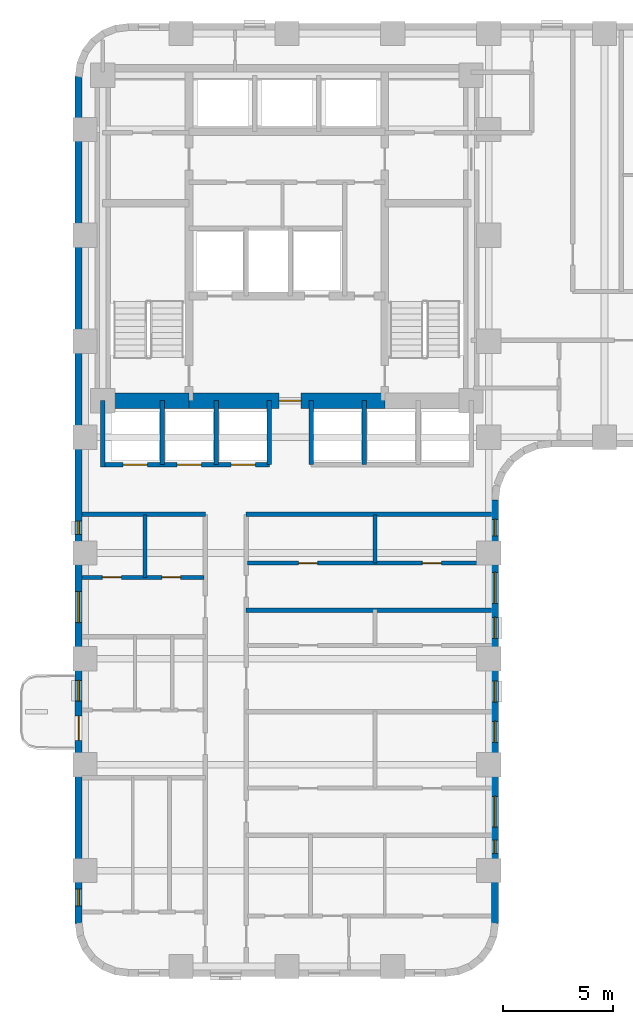
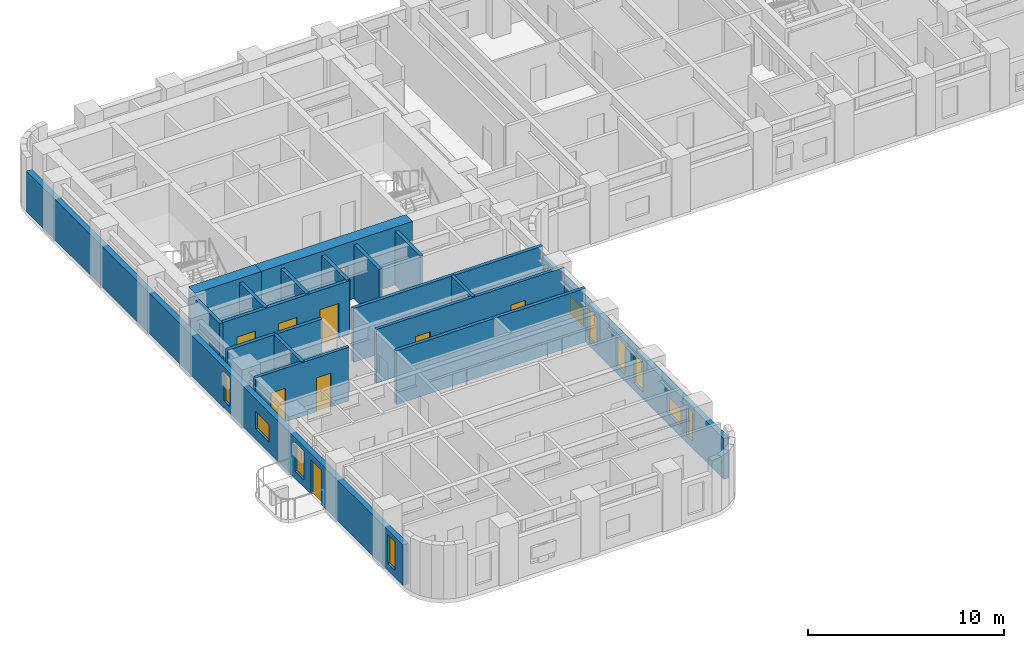
# One storey, part 4 of 12: 18 walls, 11 windows, 9 doors, 20 openings.
"""IFC4 building model written with IfcOpenShell, lengths in metres."""

from ifc_helpers import new_model, si_unit, direction, frame, frame_2d, origin, place, context, subcontext, project, spatial, rectangle, extrude, material, layer, layer_set, type_object, element, fill, save


model = new_model("IFC4")

# Units and contexts
model_context = context("Model", 3, precision=1e-05, world=origin(), true_north=direction((0.0, 1.0)))
body_context = subcontext(model_context, "Body", "Model", "MODEL_VIEW")
ifc_project = project(units=[si_unit("LENGTHUNIT", "METRE"), si_unit("AREAUNIT", "SQUARE_METRE"), si_unit("VOLUMEUNIT", "CUBIC_METRE"), si_unit("PLANEANGLEUNIT", "RADIAN"), si_unit("MASSUNIT", "GRAM", prefix="KILO")], contexts=[model_context])

# Site, building, storey
site_placement = place(None, origin())
site = spatial("IfcSite", under=ifc_project, at=site_placement, CompositionType="ELEMENT")
building_placement = place(site_placement, origin())
building = spatial("IfcBuilding", under=site, at=building_placement, Name="Orvandelia Arch Residences", CompositionType="ELEMENT")
storey_placement = place(building_placement, frame((0.0, 0.0, 35.800048828125)))
storey = spatial("IfcBuildingStorey", under=building, at=storey_placement, Name="L08", CompositionType="ELEMENT", Elevation=35.800048828125)

# Wall
ifc_material_1 = material(Name="Concrete C80/95", Category="concrete")
ifc_layer_1 = layer(ifc_material_1, 0.699951171875, Name="Concrete C80/95", Category="concrete")
ifc_layer_set_1 = layer_set([ifc_layer_1], Name="Concrete C80/95")
wall_type_1 = type_object("IfcWallType", Name="WL-CORE-700", PredefinedType="SHEAR", material=ifc_layer_set_1)
wall_1_placement = place(storey_placement, frame((6.050048828125, 30.89990234375, 0.0), z_axis=(0.0, 0.0, 1.0), x_axis=(1.0, 0.0, 0.0)))
element("IfcWall", 1, at=wall_1_placement, inside=storey, type_object=wall_type_1, Name="Core Shear Wall L08-SW", PredefinedType="SHEAR", context=body_context, shape_type="SweptSolid", body=[
    extrude(rectangle(XDim=3.909912109375, YDim=0.699951171875, at=frame_2d((1.955078125, 0.0))), origin(), (0.0, 0.0, 1.0), 3.599853515625),
])

# Wall, opening, door
wall_2_placement = place(storey_placement, frame((9.9599609375, 30.89990234375, 0.0), z_axis=(0.0, 0.0, 1.0), x_axis=(1.0, 0.0, 0.0)))
wall_2 = element("IfcWall", 2, at=wall_2_placement, inside=storey, type_object=wall_type_1, Name="Core Shear Wall L08-SM", PredefinedType="SHEAR", context=body_context, shape_type="SweptSolid", body=[
    extrude(rectangle(XDim=8.880126953125, YDim=0.699951171875, at=frame_2d((4.43994140625, 0.0))), origin(), (0.0, 0.0, 1.0), 3.599853515625),
])
opening_1_placement = place(wall_2_placement, frame((4.090087890625, 0.0, 0.0)))
opening_1 = element("IfcOpeningElement", 3, at=opening_1_placement, cuts=wall_2, Name="Opening D6", PredefinedType="OPENING", context=body_context, shape_type="SweptSolid", body=[
    extrude(rectangle(XDim=1.0, YDim=2.14990234375, at=frame_2d((0.5, 1.074951171875))), frame((0.0, 0.35986328125, 0.0), z_axis=(0.0, -1.0, 0.0), x_axis=(1.0, 0.0, 0.0)), (0.0, 0.0, 1.0), 0.719970703125),
])
ifc_material_2 = material(Name="Smokeproof Painted Steel Fire Door", Category="steel")
door_type_1 = type_object("IfcDoorType", Name="DR-FD60-1000", OperationType="NOTDEFINED", PredefinedType="DOOR", material=ifc_material_2)
door_1_placement = place(opening_1_placement, origin())
door_1 = element("IfcDoor", 4, at=door_1_placement, inside=storey, type_object=door_type_1, Name="Firefighting Lobby Smokeproof Door L08", OperationType="SINGLE_SWING_LEFT", OverallHeight=2.14990234375, OverallWidth=1.0, PredefinedType="DOOR", context=body_context, shape_type="SweptSolid", body=[
    extrude(rectangle(XDim=1.0, YDim=2.14990234375, at=frame_2d((0.5, 1.074951171875))), frame((0.0, 0.02490234375, 0.0), z_axis=(0.0, -1.0, 0.0), x_axis=(1.0, 0.0, 0.0)), (0.0, 0.0, 1.0), 0.050048828125),
])
fill(opening_1, door_1)

# Walls
ifc_material_3 = material(Name="Fire-Rated Corridor Partition")
ifc_layer_2 = layer(ifc_material_3, 0.199951171875, Name="Fire-Rated Corridor Partition")
ifc_layer_set_2 = layer_set([ifc_layer_2], Name="Fire-Rated Corridor Partition")
wall_type_2 = type_object("IfcWallType", Name="WL-CORR-200", PredefinedType="PARTITIONING", material=ifc_layer_set_2)
wall_3_placement = place(storey_placement, frame((5.1201171875, 25.75, 0.0), z_axis=(0.0, 0.0, 1.0), x_axis=(1.0, 0.0, 0.0)))
element("IfcWall", 5, at=wall_3_placement, inside=storey, type_object=wall_type_2, Name="Interior Partition Wall WL-L08-WCLS-W", PredefinedType="PARTITIONING", context=body_context, shape_type="SweptSolid", body=[
    extrude(rectangle(XDim=5.579833984375, YDim=0.199951171875, at=frame_2d((2.7900390625, 0.0))), origin(), (0.0, 0.0, 1.0), 3.349853515625),
])
wall_4_placement = place(storey_placement, frame((12.550048828125, 25.75, 0.0), z_axis=(0.0, 0.0, 1.0), x_axis=(1.0, 0.0, 0.0)))
element("IfcWall", 6, at=wall_4_placement, inside=storey, type_object=wall_type_2, Name="Interior Partition Wall WL-L08-WCLS-E", PredefinedType="PARTITIONING", context=body_context, shape_type="SweptSolid", body=[
    extrude(rectangle(XDim=11.1298828125, YDim=0.199951171875, at=frame_2d((5.56494140625, 0.0))), origin(), (0.0, 0.0, 1.0), 3.349853515625),
])
ifc_material_4 = material(Name="Concrete C40/50", Category="concrete")
ifc_layer_3 = layer(ifc_material_4, 0.199951171875, Name="Concrete C40/50", Category="concrete")
ifc_layer_set_3 = layer_set([ifc_layer_3], Name="Concrete C40/50")
wall_type_3 = type_object("IfcWallType", Name="WL-DEM-200", PredefinedType="SOLIDWALL", material=ifc_layer_set_3)
wall_5_placement = place(storey_placement, frame((12.550048828125, 21.39990234375, 0.0), z_axis=(0.0, 0.0, 1.0), x_axis=(1.0, 0.0, 0.0)))
element("IfcWall", 7, at=wall_5_placement, inside=storey, type_object=wall_type_3, Name="Interior Partition Wall WL-L08-DEM-WR-214", PredefinedType="SOLIDWALL", context=body_context, shape_type="SweptSolid", body=[
    extrude(rectangle(XDim=11.1298828125, YDim=0.199951171875, at=frame_2d((5.56494140625, 0.0))), origin(), (0.0, 0.0, 1.0), 3.349853515625),
])

# Wall, openings, windows
ifc_material_5 = material(Name="Precast concrete C40/50", Category="concrete")
ifc_layer_4 = layer(ifc_material_5, 0.320068359375, Name="Precast concrete C40/50", Category="concrete")
ifc_layer_set_4 = layer_set([ifc_layer_4], Name="Precast concrete C40/50")
wall_type_4 = type_object("IfcWallType", Name="WL-EXT-STONE-320", PredefinedType="STANDARD", material=ifc_layer_set_4)
wall_6_placement = place(storey_placement, frame((23.840087890625, 26.39990234375, 0.0), z_axis=(0.0, 0.0, 1.0), x_axis=(0.0, -1.0, 0.0)))
wall_6 = element("IfcWall", 8, at=wall_6_placement, inside=storey, type_object=wall_type_4, Name="Coral-Limestone Precast Facade Wall L08-028", PredefinedType="STANDARD", context=body_context, shape_type="SweptSolid", body=[
    extrude(rectangle(XDim=19.199951171875, YDim=0.320068359375, at=frame_2d((9.60009765625, 0.0))), origin(), (0.0, 0.0, 1.0), 2.530029296875),
])
opening_2_placement = place(wall_6_placement, frame((15.4150390625, 0.0, 0.449951171875)))
opening_2 = element("IfcOpeningElement", 9, at=opening_2_placement, cuts=wall_6, Name="Opening W12", PredefinedType="OPENING", context=body_context, shape_type="SweptSolid", body=[
    extrude(rectangle(XDim=0.60009765625, YDim=1.800048828125, at=frame_2d((0.300048828125, 0.89990234375))), frame((0.0, 0.169921875, 0.0), z_axis=(0.0, -1.0, 0.0), x_axis=(1.0, 0.0, 0.0)), (0.0, 0.0, 1.0), 0.340087890625),
])
opening_3_placement = place(wall_6_placement, frame((13.429931640625, 0.0, 0.64990234375)))
opening_3 = element("IfcOpeningElement", 10, at=opening_3_placement, cuts=wall_6, Name="Opening W10", PredefinedType="OPENING", context=body_context, shape_type="SweptSolid", body=[
    extrude(rectangle(XDim=1.39990234375, YDim=1.10009765625, at=frame_2d((0.699951171875, 0.550048828125))), frame((0.0, 0.169921875, 0.0), z_axis=(0.0, -1.0, 0.0), x_axis=(1.0, 0.0, 0.0)), (0.0, 0.0, 1.0), 0.340087890625),
])
opening_4_placement = place(wall_6_placement, frame((8.2099609375, 0.0, 0.449951171875)))
opening_4 = element("IfcOpeningElement", 11, at=opening_4_placement, cuts=wall_6, Name="Opening W4", PredefinedType="OPENING", context=body_context, shape_type="SweptSolid", body=[
    extrude(rectangle(XDim=0.949951171875, YDim=1.800048828125, at=frame_2d((0.47509765625, 0.89990234375))), frame((0.0, 0.169921875, 0.0), z_axis=(0.0, -1.0, 0.0), x_axis=(1.0, 0.0, 0.0)), (0.0, 0.0, 1.0), 0.340087890625),
])
opening_5_placement = place(wall_6_placement, frame((3.284912109375, 0.0, 0.64990234375)))
opening_5 = element("IfcOpeningElement", 12, at=opening_5_placement, cuts=wall_6, Name="Opening W10", PredefinedType="OPENING", context=body_context, shape_type="SweptSolid", body=[
    extrude(rectangle(XDim=1.39990234375, YDim=1.10009765625, at=frame_2d((0.699951171875, 0.550048828125))), frame((0.0, 0.169921875, 0.0), z_axis=(0.0, -1.0, 0.0), x_axis=(1.0, 0.0, 0.0)), (0.0, 0.0, 1.0), 0.340087890625),
])
opening_6_placement = place(wall_6_placement, frame((10.0400390625, 0.0, 0.449951171875)))
opening_6 = element("IfcOpeningElement", 13, at=opening_6_placement, cuts=wall_6, Name="Opening W4", PredefinedType="OPENING", context=body_context, shape_type="SweptSolid", body=[
    extrude(rectangle(XDim=0.949951171875, YDim=1.800048828125, at=frame_2d((0.47509765625, 0.89990234375))), frame((0.0, 0.169921875, 0.0), z_axis=(0.0, -1.0, 0.0), x_axis=(1.0, 0.0, 0.0)), (0.0, 0.0, 1.0), 0.340087890625),
])
opening_7_placement = place(wall_6_placement, frame((5.320068359375, 0.0, 0.449951171875)))
opening_7 = element("IfcOpeningElement", 14, at=opening_7_placement, cuts=wall_6, Name="Opening W4", PredefinedType="OPENING", context=body_context, shape_type="SweptSolid", body=[
    extrude(rectangle(XDim=0.949951171875, YDim=1.800048828125, at=frame_2d((0.47509765625, 0.89990234375))), frame((0.0, 0.169921875, 0.0), z_axis=(0.0, -1.0, 0.0), x_axis=(1.0, 0.0, 0.0)), (0.0, 0.0, 1.0), 0.340087890625),
])
opening_8_placement = place(wall_6_placement, frame((0.8798828125, 0.0, 0.449951171875)))
opening_8 = element("IfcOpeningElement", 15, at=opening_8_placement, cuts=wall_6, Name="Opening W11", PredefinedType="OPENING", context=body_context, shape_type="SweptSolid", body=[
    extrude(rectangle(XDim=0.75, YDim=1.800048828125, at=frame_2d((0.375, 0.89990234375))), frame((0.0, 0.169921875, 0.0), z_axis=(0.0, -1.0, 0.0), x_axis=(1.0, 0.0, 0.0)), (0.0, 0.0, 1.0), 0.340087890625),
])
ifc_material_6 = material(Name="Tempered Low-E Insulated Glazing", Category="glass")
window_type_1 = type_object("IfcWindowType", Name="WIN-BED-0750x1800", PartitioningType="SINGLE_PANEL", PredefinedType="WINDOW", material=ifc_material_6)
window_1_placement = place(opening_8_placement, origin())
window_1 = element("IfcWindow", 16, at=window_1_placement, inside=storey, type_object=window_type_1, Name="Recessed Punched Window L08-025", OverallHeight=1.800048828125, OverallWidth=0.75, PartitioningType="SINGLE_PANEL", PredefinedType="WINDOW", context=body_context, shape_type="SweptSolid", body=[
    extrude(rectangle(XDim=0.75, YDim=1.800048828125, at=frame_2d((0.375, 0.89990234375))), frame((0.0, 0.030029296875, 0.0), z_axis=(0.0, -1.0, 0.0), x_axis=(1.0, 0.0, 0.0)), (0.0, 0.0, 1.0), 0.06005859375),
])
fill(opening_8, window_1)
window_type_2 = type_object("IfcWindowType", Name="WIN-CLR-1400x1100", PartitioningType="SINGLE_PANEL", PredefinedType="WINDOW", material=ifc_material_6)
window_2_placement = place(opening_3_placement, origin())
window_2 = element("IfcWindow", 17, at=window_2_placement, inside=storey, type_object=window_type_2, Name="Recessed Punched Window L08-020", OverallHeight=1.10009765625, OverallWidth=1.39990234375, PartitioningType="SINGLE_PANEL", PredefinedType="WINDOW", context=body_context, shape_type="SweptSolid", body=[
    extrude(rectangle(XDim=1.39990234375, YDim=1.10009765625, at=frame_2d((0.699951171875, 0.550048828125))), frame((0.0, 0.030029296875, 0.0), z_axis=(0.0, -1.0, 0.0), x_axis=(1.0, 0.0, 0.0)), (0.0, 0.0, 1.0), 0.06005859375),
])
fill(opening_3, window_2)
window_3_placement = place(opening_5_placement, origin())
window_3 = element("IfcWindow", 18, at=window_3_placement, inside=storey, type_object=window_type_2, Name="Recessed Punched Window L08-022", OverallHeight=1.10009765625, OverallWidth=1.39990234375, PartitioningType="SINGLE_PANEL", PredefinedType="WINDOW", context=body_context, shape_type="SweptSolid", body=[
    extrude(rectangle(XDim=1.39990234375, YDim=1.10009765625, at=frame_2d((0.699951171875, 0.550048828125))), frame((0.0, 0.030029296875, 0.0), z_axis=(0.0, -1.0, 0.0), x_axis=(1.0, 0.0, 0.0)), (0.0, 0.0, 1.0), 0.06005859375),
])
fill(opening_5, window_3)
window_type_3 = type_object("IfcWindowType", Name="WIN-LAN-0600x1800", PartitioningType="SINGLE_PANEL", PredefinedType="WINDOW", material=ifc_material_6)
window_4_placement = place(opening_2_placement, origin())
window_4 = element("IfcWindow", 19, at=window_4_placement, inside=storey, type_object=window_type_3, Name="Recessed Punched Window L08-019", OverallHeight=1.800048828125, OverallWidth=0.60009765625, PartitioningType="SINGLE_PANEL", PredefinedType="WINDOW", context=body_context, shape_type="SweptSolid", body=[
    extrude(rectangle(XDim=0.60009765625, YDim=1.800048828125, at=frame_2d((0.300048828125, 0.89990234375))), frame((0.0, 0.030029296875, 0.0), z_axis=(0.0, -1.0, 0.0), x_axis=(1.0, 0.0, 0.0)), (0.0, 0.0, 1.0), 0.06005859375),
])
fill(opening_2, window_4)
window_type_4 = type_object("IfcWindowType", Name="WIN-RES-0950x1800", PartitioningType="SINGLE_PANEL", PredefinedType="WINDOW", material=ifc_material_6)
window_5_placement = place(opening_4_placement, origin())
window_5 = element("IfcWindow", 20, at=window_5_placement, inside=storey, type_object=window_type_4, Name="Recessed Punched Window L08-021", OverallHeight=1.800048828125, OverallWidth=0.949951171875, PartitioningType="SINGLE_PANEL", PredefinedType="WINDOW", context=body_context, shape_type="SweptSolid", body=[
    extrude(rectangle(XDim=0.949951171875, YDim=1.800048828125, at=frame_2d((0.47509765625, 0.89990234375))), frame((0.0, 0.030029296875, 0.0), z_axis=(0.0, -1.0, 0.0), x_axis=(1.0, 0.0, 0.0)), (0.0, 0.0, 1.0), 0.06005859375),
])
fill(opening_4, window_5)
window_6_placement = place(opening_6_placement, origin())
window_6 = element("IfcWindow", 21, at=window_6_placement, inside=storey, type_object=window_type_4, Name="Recessed Punched Window L08-023", OverallHeight=1.800048828125, OverallWidth=0.949951171875, PartitioningType="SINGLE_PANEL", PredefinedType="WINDOW", context=body_context, shape_type="SweptSolid", body=[
    extrude(rectangle(XDim=0.949951171875, YDim=1.800048828125, at=frame_2d((0.47509765625, 0.89990234375))), frame((0.0, 0.030029296875, 0.0), z_axis=(0.0, -1.0, 0.0), x_axis=(1.0, 0.0, 0.0)), (0.0, 0.0, 1.0), 0.06005859375),
])
fill(opening_6, window_6)
window_7_placement = place(opening_7_placement, origin())
window_7 = element("IfcWindow", 22, at=window_7_placement, inside=storey, type_object=window_type_4, Name="Recessed Punched Window L08-024", OverallHeight=1.800048828125, OverallWidth=0.949951171875, PartitioningType="SINGLE_PANEL", PredefinedType="WINDOW", context=body_context, shape_type="SweptSolid", body=[
    extrude(rectangle(XDim=0.949951171875, YDim=1.800048828125, at=frame_2d((0.47509765625, 0.89990234375))), frame((0.0, 0.030029296875, 0.0), z_axis=(0.0, -1.0, 0.0), x_axis=(1.0, 0.0, 0.0)), (0.0, 0.0, 1.0), 0.06005859375),
])
fill(opening_7, window_7)

# Wall, openings, door, windows
wall_7_placement = place(storey_placement, frame((4.9599609375, 7.199951171875, 0.0), z_axis=(0.0, 0.0, 1.0), x_axis=(0.0, 1.0, 0.0)))
wall_7 = element("IfcWall", 23, at=wall_7_placement, inside=storey, type_object=wall_type_4, Name="Coral-Limestone Precast Facade Wall L08-042", PredefinedType="STANDARD", context=body_context, shape_type="SweptSolid", body=[
    extrude(rectangle(XDim=38.400146484375, YDim=0.320068359375, at=frame_2d((19.2001953125, 0.0))), origin(), (0.0, 0.0, 1.0), 2.530029296875),
])
opening_9_placement = place(wall_7_placement, frame((8.300048828125, 0.0, 0.0)))
opening_9 = element("IfcOpeningElement", 24, at=opening_9_placement, cuts=wall_7, Name="Opening BD1", PredefinedType="OPENING", context=body_context, shape_type="SweptSolid", body=[
    extrude(rectangle(XDim=1.10009765625, YDim=2.14990234375, at=frame_2d((0.550048828125, 1.074951171875))), frame((0.0, 0.169921875, 0.0), z_axis=(0.0, -1.0, 0.0), x_axis=(1.0, 0.0, 0.0)), (0.0, 0.0, 1.0), 0.340087890625),
])
opening_10_placement = place(wall_7_placement, frame((10.076904296875, 0.0, 0.449951171875)))
opening_10 = element("IfcOpeningElement", 25, at=opening_10_placement, cuts=wall_7, Name="Opening W4", PredefinedType="OPENING", context=body_context, shape_type="SweptSolid", body=[
    extrude(rectangle(XDim=0.949951171875, YDim=1.800048828125, at=frame_2d((0.47509765625, 0.89990234375))), frame((0.0, 0.169921875, 0.0), z_axis=(0.0, -1.0, 0.0), x_axis=(1.0, 0.0, 0.0)), (0.0, 0.0, 1.0), 0.340087890625),
])
opening_11_placement = place(wall_7_placement, frame((13.64599609375, 0.0, 0.64990234375)))
opening_11 = element("IfcOpeningElement", 26, at=opening_11_placement, cuts=wall_7, Name="Opening W10", PredefinedType="OPENING", context=body_context, shape_type="SweptSolid", body=[
    extrude(rectangle(XDim=1.39990234375, YDim=1.10009765625, at=frame_2d((0.699951171875, 0.550048828125))), frame((0.0, 0.169921875, 0.0), z_axis=(0.0, -1.0, 0.0), x_axis=(1.0, 0.0, 0.0)), (0.0, 0.0, 1.0), 0.340087890625),
])
opening_12_placement = place(wall_7_placement, frame((0.805908203125, 0.0, 0.449951171875)))
opening_12 = element("IfcOpeningElement", 27, at=opening_12_placement, cuts=wall_7, Name="Opening W11", PredefinedType="OPENING", context=body_context, shape_type="SweptSolid", body=[
    extrude(rectangle(XDim=0.75, YDim=1.800048828125, at=frame_2d((0.375, 0.89990234375))), frame((0.0, 0.169921875, 0.0), z_axis=(0.0, -1.0, 0.0), x_axis=(1.0, 0.0, 0.0)), (0.0, 0.0, 1.0), 0.340087890625),
])
opening_13_placement = place(wall_7_placement, frame((17.64501953125, 0.0, 0.449951171875)))
opening_13 = element("IfcOpeningElement", 28, at=opening_13_placement, cuts=wall_7, Name="Opening W12", PredefinedType="OPENING", context=body_context, shape_type="SweptSolid", body=[
    extrude(rectangle(XDim=0.60009765625, YDim=1.800048828125, at=frame_2d((0.300048828125, 0.89990234375))), frame((0.0, 0.169921875, 0.0), z_axis=(0.0, -1.0, 0.0), x_axis=(1.0, 0.0, 0.0)), (0.0, 0.0, 1.0), 0.340087890625),
])
ifc_material_7 = material(Name="Thermally Broken Aluminium Glazed Door", Category="aluminium")
door_type_2 = type_object("IfcDoorType", Name="DR-BAL-GLAZ-1100", OperationType="NOTDEFINED", PredefinedType="DOOR", material=ifc_material_7)
door_2_placement = place(opening_9_placement, origin())
door_2 = element("IfcDoor", 29, at=door_2_placement, inside=storey, type_object=door_type_2, Name="Tree Balcony Glazed Door BAL-L08-W1", OperationType="SINGLE_SWING_RIGHT", OverallHeight=2.14990234375, OverallWidth=1.10009765625, PredefinedType="DOOR", context=body_context, shape_type="SweptSolid", body=[
    extrude(rectangle(XDim=1.10009765625, YDim=2.14990234375, at=frame_2d((0.550048828125, 1.074951171875))), frame((0.0, 0.02490234375, 0.0), z_axis=(0.0, -1.0, 0.0), x_axis=(1.0, 0.0, 0.0)), (0.0, 0.0, 1.0), 0.050048828125),
])
fill(opening_9, door_2)
window_8_placement = place(opening_12_placement, origin())
window_8 = element("IfcWindow", 30, at=window_8_placement, inside=storey, type_object=window_type_1, Name="Recessed Punched Window L08-032", OverallHeight=1.800048828125, OverallWidth=0.75, PartitioningType="SINGLE_PANEL", PredefinedType="WINDOW", context=body_context, shape_type="SweptSolid", body=[
    extrude(rectangle(XDim=0.75, YDim=1.800048828125, at=frame_2d((0.375, 0.89990234375))), frame((0.0, 0.030029296875, 0.0), z_axis=(0.0, -1.0, 0.0), x_axis=(1.0, 0.0, 0.0)), (0.0, 0.0, 1.0), 0.06005859375),
])
fill(opening_12, window_8)
window_9_placement = place(opening_11_placement, origin())
window_9 = element("IfcWindow", 31, at=window_9_placement, inside=storey, type_object=window_type_2, Name="Recessed Punched Window L08-031", OverallHeight=1.10009765625, OverallWidth=1.39990234375, PartitioningType="SINGLE_PANEL", PredefinedType="WINDOW", context=body_context, shape_type="SweptSolid", body=[
    extrude(rectangle(XDim=1.39990234375, YDim=1.10009765625, at=frame_2d((0.699951171875, 0.550048828125))), frame((0.0, 0.030029296875, 0.0), z_axis=(0.0, -1.0, 0.0), x_axis=(1.0, 0.0, 0.0)), (0.0, 0.0, 1.0), 0.06005859375),
])
fill(opening_11, window_9)
window_10_placement = place(opening_13_placement, origin())
window_10 = element("IfcWindow", 32, at=window_10_placement, inside=storey, type_object=window_type_3, Name="Recessed Punched Window L08-033", OverallHeight=1.800048828125, OverallWidth=0.60009765625, PartitioningType="SINGLE_PANEL", PredefinedType="WINDOW", context=body_context, shape_type="SweptSolid", body=[
    extrude(rectangle(XDim=0.60009765625, YDim=1.800048828125, at=frame_2d((0.300048828125, 0.89990234375))), frame((0.0, 0.030029296875, 0.0), z_axis=(0.0, -1.0, 0.0), x_axis=(1.0, 0.0, 0.0)), (0.0, 0.0, 1.0), 0.06005859375),
])
fill(opening_13, window_10)
window_11_placement = place(opening_10_placement, origin())
window_11 = element("IfcWindow", 33, at=window_11_placement, inside=storey, type_object=window_type_4, Name="Recessed Punched Window L08-030", OverallHeight=1.800048828125, OverallWidth=0.949951171875, PartitioningType="SINGLE_PANEL", PredefinedType="WINDOW", context=body_context, shape_type="SweptSolid", body=[
    extrude(rectangle(XDim=0.949951171875, YDim=1.800048828125, at=frame_2d((0.47509765625, 0.89990234375))), frame((0.0, 0.030029296875, 0.0), z_axis=(0.0, -1.0, 0.0), x_axis=(1.0, 0.0, 0.0)), (0.0, 0.0, 1.0), 0.06005859375),
])
fill(opening_10, window_11)

# Wall, openings, doors
ifc_material_8 = material(Name="Fire-Rated Shaft Enclosure Wall")
ifc_layer_5 = layer(ifc_material_8, 0.199951171875, Name="Fire-Rated Shaft Enclosure Wall")
ifc_layer_set_5 = layer_set([ifc_layer_5], Name="Fire-Rated Shaft Enclosure Wall")
wall_type_5 = type_object("IfcWallType", Name="WL-SHAFT-200", PredefinedType="POLYGONAL", material=ifc_layer_set_5)
wall_8_placement = place(storey_placement, frame((6.050048828125, 28.0, 0.0), z_axis=(0.0, 0.0, 1.0), x_axis=(1.0, 0.0, 0.0)))
wall_8 = element("IfcWall", 34, at=wall_8_placement, inside=storey, type_object=wall_type_5, Name="Interior Partition Wall WL-L08-BNKL-S", PredefinedType="POLYGONAL", context=body_context, shape_type="SweptSolid", body=[
    extrude(rectangle(XDim=7.550048828125, YDim=0.199951171875, at=frame_2d((3.77490234375, 0.0))), origin(), (0.0, 0.0, 1.0), 3.349853515625),
])
opening_14_placement = place(wall_8_placement, frame((0.925048828125, 0.0, 0.0)))
opening_14 = element("IfcOpeningElement", 35, at=opening_14_placement, cuts=wall_8, Name="Opening LD", PredefinedType="OPENING", context=body_context, shape_type="SweptSolid", body=[
    extrude(rectangle(XDim=1.10009765625, YDim=2.14990234375, at=frame_2d((0.550048828125, 1.074951171875))), frame((0.0, 0.10986328125, 0.0), z_axis=(0.0, -1.0, 0.0), x_axis=(1.0, 0.0, 0.0)), (0.0, 0.0, 1.0), 0.219970703125),
])
opening_15_placement = place(wall_8_placement, frame((3.375, 0.0, 0.0)))
opening_15 = element("IfcOpeningElement", 36, at=opening_15_placement, cuts=wall_8, Name="Opening LD", PredefinedType="OPENING", context=body_context, shape_type="SweptSolid", body=[
    extrude(rectangle(XDim=1.10009765625, YDim=2.14990234375, at=frame_2d((0.550048828125, 1.074951171875))), frame((0.0, 0.10986328125, 0.0), z_axis=(0.0, -1.0, 0.0), x_axis=(1.0, 0.0, 0.0)), (0.0, 0.0, 1.0), 0.219970703125),
])
opening_16_placement = place(wall_8_placement, frame((5.824951171875, 0.0, 0.0)))
opening_16 = element("IfcOpeningElement", 37, at=opening_16_placement, cuts=wall_8, Name="Opening LD", PredefinedType="OPENING", context=body_context, shape_type="SweptSolid", body=[
    extrude(rectangle(XDim=1.10009765625, YDim=2.14990234375, at=frame_2d((0.550048828125, 1.074951171875))), frame((0.0, 0.10986328125, 0.0), z_axis=(0.0, -1.0, 0.0), x_axis=(1.0, 0.0, 0.0)), (0.0, 0.0, 1.0), 0.219970703125),
])
ifc_material_9 = material(Name="Brushed Stainless Steel Sliding Lift Door", Category="steel")
door_type_3 = type_object("IfcDoorType", Name="DR-LIFT-1100", OperationType="NOTDEFINED", PredefinedType="DOOR", material=ifc_material_9)
door_3_placement = place(opening_14_placement, origin())
door_3 = element("IfcDoor", 38, at=door_3_placement, inside=storey, type_object=door_type_3, Name="Lift Landing Door LD-PL1", OperationType="SLIDING_TO_LEFT", OverallHeight=2.14990234375, OverallWidth=1.10009765625, PredefinedType="DOOR", context=body_context, shape_type="SweptSolid", body=[
    extrude(rectangle(XDim=1.10009765625, YDim=2.14990234375, at=frame_2d((0.550048828125, 1.074951171875))), frame((0.0, 0.02490234375, 0.0), z_axis=(0.0, -1.0, 0.0), x_axis=(1.0, 0.0, 0.0)), (0.0, 0.0, 1.0), 0.050048828125),
])
fill(opening_14, door_3)
door_4_placement = place(opening_15_placement, origin())
door_4 = element("IfcDoor", 39, at=door_4_placement, inside=storey, type_object=door_type_3, Name="Lift Landing Door LD-PL2", OperationType="SLIDING_TO_RIGHT", OverallHeight=2.14990234375, OverallWidth=1.10009765625, PredefinedType="DOOR", context=body_context, shape_type="SweptSolid", body=[
    extrude(rectangle(XDim=1.10009765625, YDim=2.14990234375, at=frame_2d((0.550048828125, 1.074951171875))), frame((0.0, 0.02490234375, 0.0), z_axis=(0.0, -1.0, 0.0), x_axis=(1.0, 0.0, 0.0)), (0.0, 0.0, 1.0), 0.050048828125),
])
fill(opening_15, door_4)
door_5_placement = place(opening_16_placement, origin())
door_5 = element("IfcDoor", 40, at=door_5_placement, inside=storey, type_object=door_type_3, Name="Lift Landing Door LD-PL3", OperationType="SLIDING_TO_LEFT", OverallHeight=2.14990234375, OverallWidth=1.10009765625, PredefinedType="DOOR", context=body_context, shape_type="SweptSolid", body=[
    extrude(rectangle(XDim=1.10009765625, YDim=2.14990234375, at=frame_2d((0.550048828125, 1.074951171875))), frame((0.0, 0.02490234375, 0.0), z_axis=(0.0, -1.0, 0.0), x_axis=(1.0, 0.0, 0.0)), (0.0, 0.0, 1.0), 0.050048828125),
])
fill(opening_16, door_5)

# Walls
wall_9_placement = place(storey_placement, frame((6.050048828125, 27.89990234375, 0.0), z_axis=(0.0, 0.0, 1.0), x_axis=(0.0, 1.0, 0.0)))
element("IfcWall", 41, at=wall_9_placement, inside=storey, type_object=wall_type_5, Name="Interior Partition Wall WL-L08-BNKL-W", PredefinedType="POLYGONAL", context=body_context, shape_type="SweptSolid", body=[
    extrude(rectangle(XDim=3.0, YDim=0.199951171875, at=frame_2d((1.5, 0.0))), origin(), (0.0, 0.0, 1.0), 3.349853515625),
])
for number, where, z_axis, x_axis, name in (
    (42, (13.60009765625, 28.0, 0.0), (0.0, 0.0, 1.0), (0.0, 1.0, 0.0), "Interior Partition Wall WL-L08-BNKL-E"),
    (43, (15.5, 28.0, 0.0), (0.0, 0.0, 1.0), (0.0, 1.0, 0.0), "Interior Partition Wall WL-L08-BNKM-W"),
    (44, (8.75, 28.0, 0.0), (0.0, 0.0, 1.0), (0.0, 1.0, 0.0), "Interior Partition Wall WL-L08-BNKD-875"),
    (45, (11.199951171875, 28.0, 0.0), (0.0, 0.0, 1.0), (0.0, 1.0, 0.0), "Interior Partition Wall WL-L08-BNKD-1120"),
    (46, (17.89990234375, 28.0, 0.0), (0.0, 0.0, 1.0), (0.0, 1.0, 0.0), "Interior Partition Wall WL-L08-BNKD-1789"),
):
    element("IfcWall", number, at=place(storey_placement, frame(where, z_axis=z_axis, x_axis=x_axis)), inside=storey, type_object=wall_type_5, Name=name, PredefinedType="POLYGONAL", context=body_context, shape_type="SweptSolid", body=[
        extrude(rectangle(XDim=2.89990234375, YDim=0.199951171875, at=frame_2d((1.449951171875, 0.0))), origin(), (0.0, 0.0, 1.0), 3.349853515625),
    ])

# Wall, openings, doors
ifc_material_10 = material(Name="Moisture-Resistant Plumbing Wall")
ifc_layer_6 = layer(ifc_material_10, 0.179931640625, Name="Moisture-Resistant Plumbing Wall")
ifc_layer_set_6 = layer_set([ifc_layer_6], Name="Moisture-Resistant Plumbing Wall")
wall_type_6 = type_object("IfcWallType", Name="WL-WET-180", PredefinedType="PLUMBINGWALL", material=ifc_layer_set_6)
wall_10_placement = place(storey_placement, frame((5.1201171875, 22.89208984375, 0.0), z_axis=(0.0, 0.0, 1.0), x_axis=(1.0, 0.0, 0.0)))
wall_10 = element("IfcWall", 47, at=wall_10_placement, inside=storey, type_object=wall_type_6, Name="Interior Partition Wall WL-L08-U03-HZ", PredefinedType="PLUMBINGWALL", context=body_context, shape_type="SweptSolid", body=[
    extrude(rectangle(XDim=5.519775390625, YDim=0.179931640625, at=frame_2d((2.759765625, 0.0))), origin(), (0.0, 0.0, 1.0), 3.349853515625),
])
opening_17_placement = place(wall_10_placement, frame((0.916015625, 0.0, 0.0)))
opening_17 = element("IfcOpeningElement", 48, at=opening_17_placement, cuts=wall_10, Name="Opening D4", PredefinedType="OPENING", context=body_context, shape_type="SweptSolid", body=[
    extrude(rectangle(XDim=0.860107421875, YDim=2.10009765625, at=frame_2d((0.43017578125, 1.050048828125))), frame((0.0, 0.10009765625, 0.0), z_axis=(0.0, -1.0, 0.0), x_axis=(1.0, 0.0, 0.0)), (0.0, 0.0, 1.0), 0.199951171875),
])
opening_18_placement = place(wall_10_placement, frame((3.60595703125, 0.0, 0.0)))
opening_18 = element("IfcOpeningElement", 49, at=opening_18_placement, cuts=wall_10, Name="Opening D4", PredefinedType="OPENING", context=body_context, shape_type="SweptSolid", body=[
    extrude(rectangle(XDim=0.860107421875, YDim=2.10009765625, at=frame_2d((0.43017578125, 1.050048828125))), frame((0.0, 0.10009765625, 0.0), z_axis=(0.0, -1.0, 0.0), x_axis=(1.0, 0.0, 0.0)), (0.0, 0.0, 1.0), 0.199951171875),
])
ifc_material_11 = material(Name="Moisture-Sealed Timber Bathroom Door", Category="wood")
door_type_4 = type_object("IfcDoorType", Name="DR-WET-900", OperationType="NOTDEFINED", PredefinedType="DOOR", material=ifc_material_11)
door_6_placement = place(opening_17_placement, origin())
door_6 = element("IfcDoor", 50, at=door_6_placement, inside=storey, type_object=door_type_4, Name="DR-L08-U03-KIT", OperationType="SINGLE_SWING_LEFT", OverallHeight=2.10009765625, OverallWidth=0.860107421875, PredefinedType="DOOR", context=body_context, shape_type="SweptSolid", body=[
    extrude(rectangle(XDim=0.860107421875, YDim=2.10009765625, at=frame_2d((0.43017578125, 1.050048828125))), frame((0.0, 0.02490234375, 0.0), z_axis=(0.0, -1.0, 0.0), x_axis=(1.0, 0.0, 0.0)), (0.0, 0.0, 1.0), 0.050048828125),
])
fill(opening_17, door_6)
door_7_placement = place(opening_18_placement, origin())
door_7 = element("IfcDoor", 51, at=door_7_placement, inside=storey, type_object=door_type_4, Name="DR-L08-U03-BTH", OperationType="SINGLE_SWING_RIGHT", OverallHeight=2.10009765625, OverallWidth=0.860107421875, PredefinedType="DOOR", context=body_context, shape_type="SweptSolid", body=[
    extrude(rectangle(XDim=0.860107421875, YDim=2.10009765625, at=frame_2d((0.43017578125, 1.050048828125))), frame((0.0, 0.02490234375, 0.0), z_axis=(0.0, -1.0, 0.0), x_axis=(1.0, 0.0, 0.0)), (0.0, 0.0, 1.0), 0.050048828125),
])
fill(opening_18, door_7)

# Wall
wall_11_placement = place(storey_placement, frame((7.9619140625, 22.89208984375, 0.0), z_axis=(0.0, 0.0, 1.0), x_axis=(0.0, 1.0, 0.0)))
element("IfcWall", 52, at=wall_11_placement, inside=storey, type_object=wall_type_6, Name="Interior Partition Wall WL-L08-U03-V1", PredefinedType="PLUMBINGWALL", context=body_context, shape_type="SweptSolid", body=[
    extrude(rectangle(XDim=2.827880859375, YDim=0.179931640625, at=frame_2d((1.4140625, 0.0))), origin(), (0.0, 0.0, 1.0), 3.349853515625),
])

# Wall, openings, doors
wall_12_placement = place(storey_placement, frame((12.610107421875, 23.5400390625, 0.0), z_axis=(0.0, 0.0, 1.0), x_axis=(1.0, 0.0, 0.0)))
wall_12 = element("IfcWall", 53, at=wall_12_placement, inside=storey, type_object=wall_type_6, Name="Interior Partition Wall WL-L08-U07-HZ", PredefinedType="PLUMBINGWALL", context=body_context, shape_type="SweptSolid", body=[
    extrude(rectangle(XDim=11.06982421875, YDim=0.179931640625, at=frame_2d((5.534912109375, 0.0))), origin(), (0.0, 0.0, 1.0), 3.349853515625),
])
opening_19_placement = place(wall_12_placement, frame((2.319091796875, 0.0, 0.0)))
opening_19 = element("IfcOpeningElement", 54, at=opening_19_placement, cuts=wall_12, Name="Opening D4", PredefinedType="OPENING", context=body_context, shape_type="SweptSolid", body=[
    extrude(rectangle(XDim=0.860107421875, YDim=2.10009765625, at=frame_2d((0.43017578125, 1.050048828125))), frame((0.0, 0.10009765625, 0.0), z_axis=(0.0, -1.0, 0.0), x_axis=(1.0, 0.0, 0.0)), (0.0, 0.0, 1.0), 0.199951171875),
])
opening_20_placement = place(wall_12_placement, frame((7.93408203125, 0.0, 0.0)))
opening_20 = element("IfcOpeningElement", 55, at=opening_20_placement, cuts=wall_12, Name="Opening D4", PredefinedType="OPENING", context=body_context, shape_type="SweptSolid", body=[
    extrude(rectangle(XDim=0.860107421875, YDim=2.10009765625, at=frame_2d((0.43017578125, 1.050048828125))), frame((0.0, 0.10009765625, 0.0), z_axis=(0.0, -1.0, 0.0), x_axis=(1.0, 0.0, 0.0)), (0.0, 0.0, 1.0), 0.199951171875),
])
door_8_placement = place(opening_19_placement, origin())
door_8 = element("IfcDoor", 56, at=door_8_placement, inside=storey, type_object=door_type_4, Name="DR-L08-U07-KIT", OperationType="SINGLE_SWING_LEFT", OverallHeight=2.10009765625, OverallWidth=0.860107421875, PredefinedType="DOOR", context=body_context, shape_type="SweptSolid", body=[
    extrude(rectangle(XDim=0.860107421875, YDim=2.10009765625, at=frame_2d((0.43017578125, 1.050048828125))), frame((0.0, 0.02490234375, 0.0), z_axis=(0.0, -1.0, 0.0), x_axis=(1.0, 0.0, 0.0)), (0.0, 0.0, 1.0), 0.050048828125),
])
fill(opening_19, door_8)
door_9_placement = place(opening_20_placement, origin())
door_9 = element("IfcDoor", 57, at=door_9_placement, inside=storey, type_object=door_type_4, Name="DR-L08-U07-BTH", OperationType="SINGLE_SWING_RIGHT", OverallHeight=2.10009765625, OverallWidth=0.860107421875, PredefinedType="DOOR", context=body_context, shape_type="SweptSolid", body=[
    extrude(rectangle(XDim=0.860107421875, YDim=2.10009765625, at=frame_2d((0.43017578125, 1.050048828125))), frame((0.0, 0.02490234375, 0.0), z_axis=(0.0, -1.0, 0.0), x_axis=(1.0, 0.0, 0.0)), (0.0, 0.0, 1.0), 0.050048828125),
])
fill(opening_20, door_9)

# Wall
wall_13_placement = place(storey_placement, frame((18.39794921875, 23.5400390625, 0.0), z_axis=(0.0, 0.0, 1.0), x_axis=(0.0, 1.0, 0.0)))
element("IfcWall", 58, at=wall_13_placement, inside=storey, type_object=wall_type_6, Name="Interior Partition Wall WL-L08-U07-V1", PredefinedType="PLUMBINGWALL", context=body_context, shape_type="SweptSolid", body=[
    extrude(rectangle(XDim=2.179931640625, YDim=0.179931640625, at=frame_2d((1.08984375, 0.0))), origin(), (0.0, 0.0, 1.0), 3.349853515625),
])

save(model, "model.ifc")
